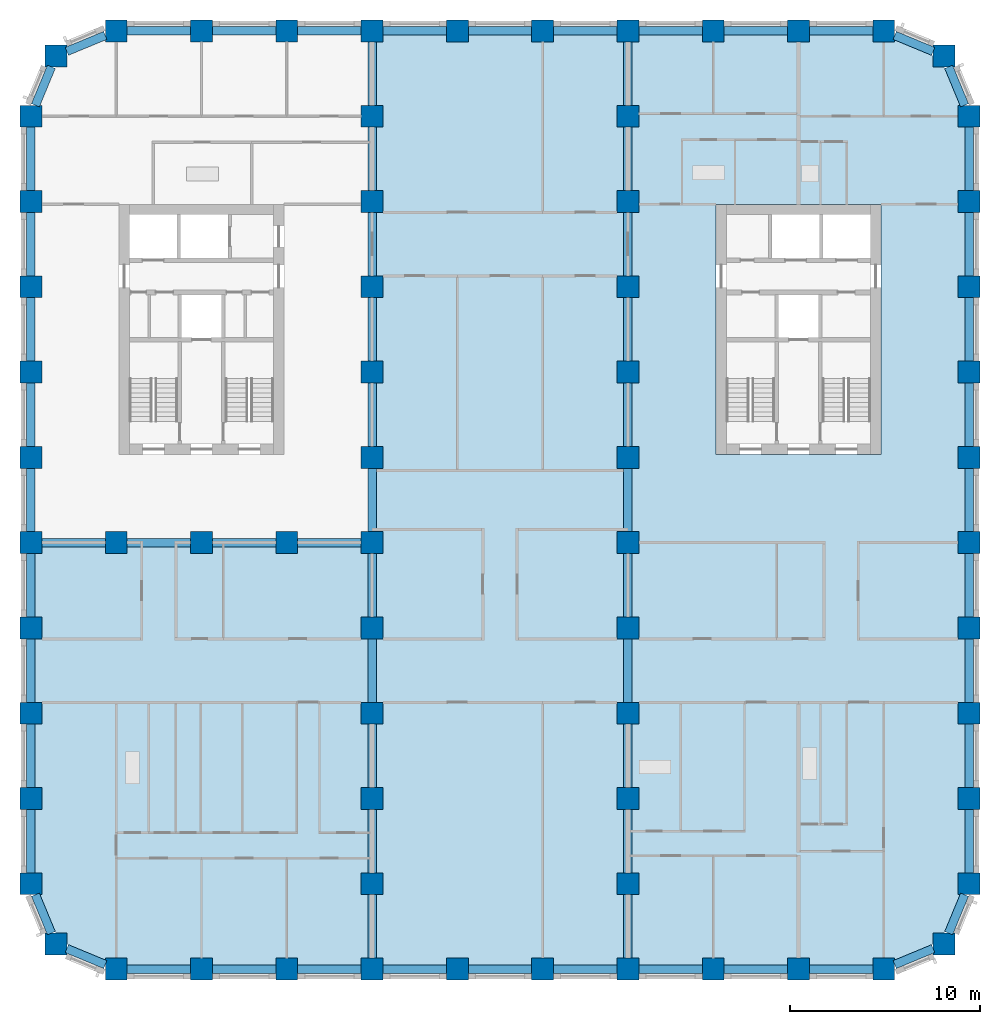
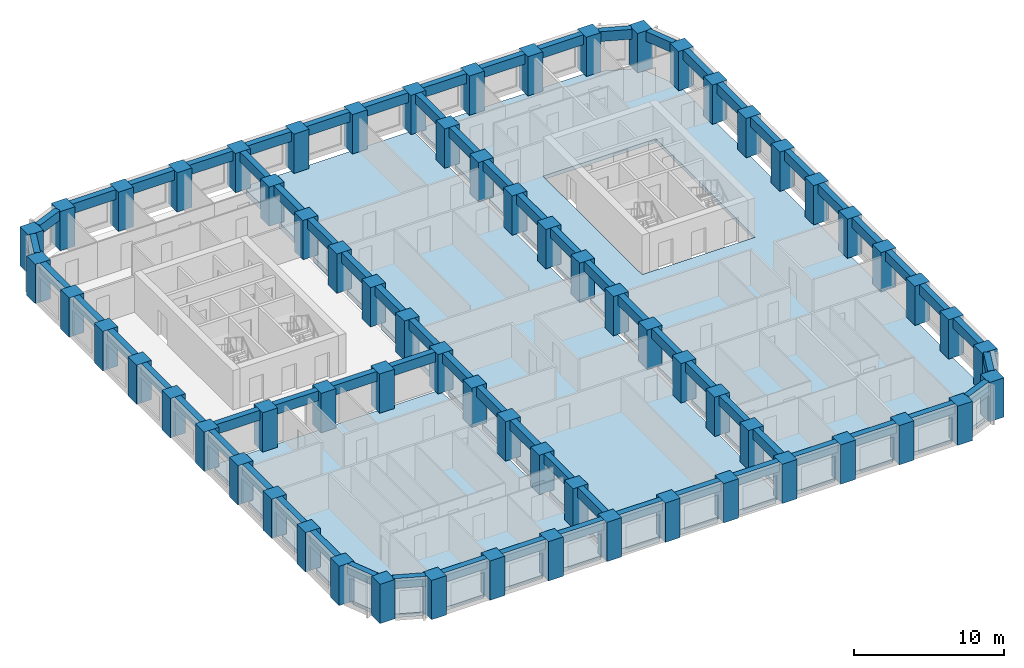
# One storey, part 1 of 13: 70 beams, 67 columns, 3 slabs.
"""IFC4 building model written with IfcOpenShell, lengths in metres."""

from ifc_helpers import new_model, si_unit, direction, frame, origin, origin_2d, place, context, subcontext, project, spatial, polyline, rectangle, outline, extrude, material, layer, layer_set, material_profile, profile_set, type_object, element, save


model = new_model("IFC4")

# Units and contexts
model_context = context("Model", 3, precision=1e-05, world=origin(), true_north=direction((0.0, 1.0)))
body_context = subcontext(model_context, "Body", "Model", "MODEL_VIEW")
ifc_project = project(units=[si_unit("LENGTHUNIT", "METRE"), si_unit("AREAUNIT", "SQUARE_METRE"), si_unit("VOLUMEUNIT", "CUBIC_METRE"), si_unit("PLANEANGLEUNIT", "RADIAN"), si_unit("MASSUNIT", "GRAM", prefix="KILO")], contexts=[model_context])

# Site, building, storey
site_placement = place(None, origin())
site = spatial("IfcSite", under=ifc_project, at=site_placement, CompositionType="ELEMENT")
building_placement = place(site_placement, origin())
building = spatial("IfcBuilding", under=site, at=building_placement, Name="Girih Gate Residences", CompositionType="ELEMENT")
storey_placement = place(building_placement, frame((0.0, 0.0, 99.199951171875)))
storey = spatial("IfcBuildingStorey", under=building, at=storey_placement, Name="L27", CompositionType="ELEMENT", Elevation=99.199951171875)

# Columns
ifc_material_1 = material(Name="Concrete C80/95", Category="concrete")
ifc_material_profile_1 = material_profile(ifc_material_1, rectangle(XDim=1.14990234375, YDim=1.14990234375, at=origin_2d()))
ifc_profile_set_1 = profile_set([ifc_material_profile_1], Name="Concrete C80/95")
column_type = type_object("IfcColumnType", Name="Pier RC 1150x1150 Concrete C80/95", PredefinedType="COLUMN", material=ifc_profile_set_1)
for number, where, z_axis, x_axis, name in (
    (1, (4.5, 0.0, 0.0), (0.0, 0.0, 1.0), (1.0, 0.0, 0.0), "Pier P2A L27"),
    (2, (9.0, 0.0, 0.0), (0.0, 0.0, 1.0), (1.0, 0.0, 0.0), "Pier P3A L27"),
    (3, (13.5, 0.0, 0.0), (0.0, 0.0, 1.0), (1.0, 0.0, 0.0), "Pier P4A L27"),
    (4, (18.0, 0.0, 0.0), (0.0, 0.0, 1.0), (1.0, 0.0, 0.0), "Pier P5A L27"),
    (5, (22.5, 0.0, 0.0), (0.0, 0.0, 1.0), (1.0, 0.0, 0.0), "Pier P6A L27"),
    (6, (27.0, 0.0, 0.0), (0.0, 0.0, 1.0), (1.0, 0.0, 0.0), "Pier P7A L27"),
    (7, (31.5, 0.0, 0.0), (0.0, 0.0, 1.0), (1.0, 0.0, 0.0), "Pier P8A L27"),
    (8, (36.0, 0.0, 0.0), (0.0, 0.0, 1.0), (1.0, 0.0, 0.0), "Pier P9A L27"),
    (9, (40.5, 0.0, 0.0), (0.0, 0.0, 1.0), (1.0, 0.0, 0.0), "Pier P10A L27"),
    (10, (45.0, 0.0, 0.0), (0.0, 0.0, 1.0), (1.0, 0.0, 0.0), "Pier P11A L27"),
    (11, (1.318115234375, 1.318115234375, 0.0), (0.0, 0.0, 1.0), (1.0, 0.0, 0.0), "Pier P1ANE L27"),
    (12, (48.181884765625, 1.318115234375, 0.0), (0.0, 0.0, 1.0), (1.0, 0.0, 0.0), "Pier P12ANW L27"),
    (13, (0.0, 4.5, 0.0), (0.0, 0.0, 1.0), (1.0, 0.0, 0.0), "Pier P1B L27"),
    (14, (18.0, 4.5, 0.0), (0.0, 0.0, 1.0), (1.0, 0.0, 0.0), "Pier P5B L27"),
    (15, (31.5, 4.5, 0.0), (0.0, 0.0, 1.0), (1.0, 0.0, 0.0), "Pier P8B L27"),
    (16, (49.5, 4.5, 0.0), (0.0, 0.0, 1.0), (1.0, 0.0, 0.0), "Pier P12B L27"),
    (17, (0.0, 9.0, 0.0), (0.0, 0.0, 1.0), (1.0, 0.0, 0.0), "Pier P1C L27"),
    (18, (18.0, 9.0, 0.0), (0.0, 0.0, 1.0), (1.0, 0.0, 0.0), "Pier P5C L27"),
    (19, (31.5, 9.0, 0.0), (0.0, 0.0, 1.0), (1.0, 0.0, 0.0), "Pier P8C L27"),
    (20, (49.5, 9.0, 0.0), (0.0, 0.0, 1.0), (1.0, 0.0, 0.0), "Pier P12C L27"),
    (21, (0.0, 13.5, 0.0), (0.0, 0.0, 1.0), (1.0, 0.0, 0.0), "Pier P1D L27"),
    (22, (18.0, 13.5, 0.0), (0.0, 0.0, 1.0), (1.0, 0.0, 0.0), "Pier P5D L27"),
    (23, (31.5, 13.5, 0.0), (0.0, 0.0, 1.0), (1.0, 0.0, 0.0), "Pier P8D L27"),
    (24, (49.5, 13.5, 0.0), (0.0, 0.0, 1.0), (1.0, 0.0, 0.0), "Pier P12D L27"),
    (25, (0.0, 18.0, 0.0), (0.0, 0.0, 1.0), (1.0, 0.0, 0.0), "Pier P1E L27"),
    (26, (18.0, 18.0, 0.0), (0.0, 0.0, 1.0), (1.0, 0.0, 0.0), "Pier P5E L27"),
    (27, (31.5, 18.0, 0.0), (0.0, 0.0, 1.0), (1.0, 0.0, 0.0), "Pier P8E L27"),
    (28, (49.5, 18.0, 0.0), (0.0, 0.0, 1.0), (1.0, 0.0, 0.0), "Pier P12E L27"),
    (29, (0.0, 22.5, 0.0), (0.0, 0.0, 1.0), (1.0, 0.0, 0.0), "Pier P1F L27"),
    (30, (4.5, 22.5, 0.0), (0.0, 0.0, 1.0), (1.0, 0.0, 0.0), "Pier P2F L27"),
    (31, (9.0, 22.5, 0.0), (0.0, 0.0, 1.0), (1.0, 0.0, 0.0), "Pier P3F L27"),
    (32, (13.5, 22.5, 0.0), (0.0, 0.0, 1.0), (1.0, 0.0, 0.0), "Pier P4F L27"),
    (33, (18.0, 22.5, 0.0), (0.0, 0.0, 1.0), (1.0, 0.0, 0.0), "Pier P5F L27"),
    (34, (31.5, 22.5, 0.0), (0.0, 0.0, 1.0), (1.0, 0.0, 0.0), "Pier P8F L27"),
    (35, (49.5, 22.5, 0.0), (0.0, 0.0, 1.0), (1.0, 0.0, 0.0), "Pier P12F L27"),
    (36, (0.0, 27.0, 0.0), (0.0, 0.0, 1.0), (1.0, 0.0, 0.0), "Pier P1G L27"),
    (37, (18.0, 27.0, 0.0), (0.0, 0.0, 1.0), (1.0, 0.0, 0.0), "Pier P5G L27"),
    (38, (31.5, 27.0, 0.0), (0.0, 0.0, 1.0), (1.0, 0.0, 0.0), "Pier P8G L27"),
    (39, (49.5, 27.0, 0.0), (0.0, 0.0, 1.0), (1.0, 0.0, 0.0), "Pier P12G L27"),
    (40, (0.0, 31.5, 0.0), (0.0, 0.0, 1.0), (1.0, 0.0, 0.0), "Pier P1H L27"),
    (41, (18.0, 31.5, 0.0), (0.0, 0.0, 1.0), (1.0, 0.0, 0.0), "Pier P5H L27"),
    (42, (31.5, 31.5, 0.0), (0.0, 0.0, 1.0), (1.0, 0.0, 0.0), "Pier P8H L27"),
    (43, (49.5, 31.5, 0.0), (0.0, 0.0, 1.0), (1.0, 0.0, 0.0), "Pier P12H L27"),
    (44, (0.0, 36.0, 0.0), (0.0, 0.0, 1.0), (1.0, 0.0, 0.0), "Pier P1I L27"),
    (45, (18.0, 36.0, 0.0), (0.0, 0.0, 1.0), (1.0, 0.0, 0.0), "Pier P5I L27"),
    (46, (31.5, 36.0, 0.0), (0.0, 0.0, 1.0), (1.0, 0.0, 0.0), "Pier P8I L27"),
    (47, (49.5, 36.0, 0.0), (0.0, 0.0, 1.0), (1.0, 0.0, 0.0), "Pier P12I L27"),
    (48, (0.0, 40.5, 0.0), (0.0, 0.0, 1.0), (1.0, 0.0, 0.0), "Pier P1J L27"),
    (49, (18.0, 40.5, 0.0), (0.0, 0.0, 1.0), (1.0, 0.0, 0.0), "Pier P5J L27"),
    (50, (31.5, 40.5, 0.0), (0.0, 0.0, 1.0), (1.0, 0.0, 0.0), "Pier P8J L27"),
    (51, (49.5, 40.5, 0.0), (0.0, 0.0, 1.0), (1.0, 0.0, 0.0), "Pier P12J L27"),
    (52, (0.0, 45.0, 0.0), (0.0, 0.0, 1.0), (1.0, 0.0, 0.0), "Pier P1K L27"),
    (53, (18.0, 45.0, 0.0), (0.0, 0.0, 1.0), (1.0, 0.0, 0.0), "Pier P5K L27"),
    (54, (31.5, 45.0, 0.0), (0.0, 0.0, 1.0), (1.0, 0.0, 0.0), "Pier P8K L27"),
    (55, (49.5, 45.0, 0.0), (0.0, 0.0, 1.0), (1.0, 0.0, 0.0), "Pier P12K L27"),
    (56, (1.318115234375, 48.181884765625, 0.0), (0.0, 0.0, 1.0), (1.0, 0.0, 0.0), "Pier P1LSE L27"),
    (57, (48.181884765625, 48.181884765625, 0.0), (0.0, 0.0, 1.0), (1.0, 0.0, 0.0), "Pier P12LSW L27"),
    (58, (4.5, 49.5, 0.0), (0.0, 0.0, 1.0), (1.0, 0.0, 0.0), "Pier P2L L27"),
    (59, (9.0, 49.5, 0.0), (0.0, 0.0, 1.0), (1.0, 0.0, 0.0), "Pier P3L L27"),
    (60, (13.5, 49.5, 0.0), (0.0, 0.0, 1.0), (1.0, 0.0, 0.0), "Pier P4L L27"),
    (61, (18.0, 49.5, 0.0), (0.0, 0.0, 1.0), (1.0, 0.0, 0.0), "Pier P5L L27"),
    (62, (22.5, 49.5, 0.0), (0.0, 0.0, 1.0), (1.0, 0.0, 0.0), "Pier P6L L27"),
    (63, (27.0, 49.5, 0.0), (0.0, 0.0, 1.0), (1.0, 0.0, 0.0), "Pier P7L L27"),
    (64, (31.5, 49.5, 0.0), (0.0, 0.0, 1.0), (1.0, 0.0, 0.0), "Pier P8L L27"),
    (65, (36.0, 49.5, 0.0), (0.0, 0.0, 1.0), (1.0, 0.0, 0.0), "Pier P9L L27"),
    (66, (40.5, 49.5, 0.0), (0.0, 0.0, 1.0), (1.0, 0.0, 0.0), "Pier P10L L27"),
    (67, (45.0, 49.5, 0.0), (0.0, 0.0, 1.0), (1.0, 0.0, 0.0), "Pier P11L L27"),
):
    element("IfcColumn", number, at=place(storey_placement, frame(where, z_axis=z_axis, x_axis=x_axis)), inside=storey, type_object=column_type, Name=name, PredefinedType="COLUMN", context=body_context, shape_type="SweptSolid", body=[
        extrude(rectangle(XDim=1.14990234375, YDim=1.14990234375, at=origin_2d()), origin(), (0.0, 0.0, 1.0), 3.199951171875),
    ])

# Beams
ifc_material_2 = material(Name="Concrete C60/75", Category="concrete")
ifc_material_profile_2 = material_profile(ifc_material_2, rectangle(XDim=0.449951171875, YDim=0.800048828125, at=origin_2d()))
ifc_profile_set_2 = profile_set([ifc_material_profile_2], Name="Concrete C60/75")
beam_type = type_object("IfcBeamType", Name="Spandrel girder RC 450x800 Concrete C60/75", PredefinedType="BEAM", material=ifc_profile_set_2)
for number, where, z_axis, x_axis, name in (
    (68, (0.23828125, 3.925048828125, 2.800048828125), (0.382636106589, -0.92389913407, 0.0), (0.92389913407, 0.382636106589, 0.0), "Spandrel girder SP-P1B-P1ANE L27"),
    (69, (1.89306640625, 1.079833984375, 2.800048828125), (0.92389913407, -0.382636106589, 0.0), (0.382636106589, 0.92389913407, 0.0), "Spandrel girder SP-P1ANE-P2A L27"),
):
    element("IfcBeam", number, at=place(storey_placement, frame(where, z_axis=z_axis, x_axis=x_axis)), inside=storey, type_object=beam_type, Name=name, PredefinedType="BEAM", context=body_context, shape_type="SweptSolid", body=[
        extrude(rectangle(XDim=0.449951171875, YDim=0.800048828125, at=origin_2d()), origin(), (0.0, 0.0, 1.0), 2.199462890625),
    ])
for number, where, z_axis, x_axis, name in (
    (70, (5.074951171875, 0.0, 2.800048828125), (1.0, 0.0, 0.0), (0.0, 1.0, 0.0), "Spandrel girder SP-P2A-P3A L27"),
    (71, (9.574951171875, 0.0, 2.800048828125), (1.0, 0.0, 0.0), (0.0, 1.0, 0.0), "Spandrel girder SP-P3A-P4A L27"),
    (72, (14.074951171875, 0.0, 2.800048828125), (1.0, 0.0, 0.0), (0.0, 1.0, 0.0), "Spandrel girder SP-P4A-P5A L27"),
    (73, (18.574951171875, 0.0, 2.800048828125), (1.0, 0.0, 0.0), (0.0, 1.0, 0.0), "Spandrel girder SP-P5A-P6A L27"),
    (74, (23.074951171875, 0.0, 2.800048828125), (1.0, 0.0, 0.0), (0.0, 1.0, 0.0), "Spandrel girder SP-P6A-P7A L27"),
    (75, (27.574951171875, 0.0, 2.800048828125), (1.0, 0.0, 0.0), (0.0, 1.0, 0.0), "Spandrel girder SP-P7A-P8A L27"),
    (76, (32.074951171875, 0.0, 2.800048828125), (1.0, 0.0, 0.0), (0.0, 1.0, 0.0), "Spandrel girder SP-P8A-P9A L27"),
    (77, (36.574951171875, 0.0, 2.800048828125), (1.0, 0.0, 0.0), (0.0, 1.0, 0.0), "Spandrel girder SP-P9A-P10A L27"),
    (78, (41.074951171875, 0.0, 2.800048828125), (1.0, 0.0, 0.0), (0.0, 1.0, 0.0), "Spandrel girder SP-P10A-P11A L27"),
):
    element("IfcBeam", number, at=place(storey_placement, frame(where, z_axis=z_axis, x_axis=x_axis)), inside=storey, type_object=beam_type, Name=name, PredefinedType="BEAM", context=body_context, shape_type="SweptSolid", body=[
        extrude(rectangle(XDim=0.449951171875, YDim=0.800048828125, at=origin_2d()), origin(), (0.0, 0.0, 1.0), 3.35009765625),
    ])
for number, where, z_axis, x_axis, name in (
    (79, (45.574951171875, 0.23828125, 2.800048828125), (0.92389913407, 0.382636106589, 0.0), (-0.382636106589, 0.92389913407, 0.0), "Spandrel girder SP-P11A-P12ANW L27"),
    (80, (48.420166015625, 1.89306640625, 2.800048828125), (0.382636106589, 0.92389913407, 0.0), (-0.92389913407, 0.382636106589, 0.0), "Spandrel girder SP-P12ANW-P12B L27"),
):
    element("IfcBeam", number, at=place(storey_placement, frame(where, z_axis=z_axis, x_axis=x_axis)), inside=storey, type_object=beam_type, Name=name, PredefinedType="BEAM", context=body_context, shape_type="SweptSolid", body=[
        extrude(rectangle(XDim=0.449951171875, YDim=0.800048828125, at=origin_2d()), origin(), (0.0, 0.0, 1.0), 2.199462890625),
    ])
for number, where, z_axis, x_axis, name in (
    (81, (49.5, 5.074951171875, 2.800048828125), (0.0, 1.0, 0.0), (-1.0, 0.0, 0.0), "Spandrel girder SP-P12B-P12C L27"),
    (82, (49.5, 9.574951171875, 2.800048828125), (0.0, 1.0, 0.0), (-1.0, 0.0, 0.0), "Spandrel girder SP-P12C-P12D L27"),
    (83, (49.5, 14.074951171875, 2.800048828125), (0.0, 1.0, 0.0), (-1.0, 0.0, 0.0), "Spandrel girder SP-P12D-P12E L27"),
    (84, (49.5, 18.574951171875, 2.800048828125), (0.0, 1.0, 0.0), (-1.0, 0.0, 0.0), "Spandrel girder SP-P12E-P12F L27"),
    (85, (49.5, 23.074951171875, 2.800048828125), (0.0, 1.0, 0.0), (-1.0, 0.0, 0.0), "Spandrel girder SP-P12F-P12G L27"),
    (86, (49.5, 27.574951171875, 2.800048828125), (0.0, 1.0, 0.0), (-1.0, 0.0, 0.0), "Spandrel girder SP-P12G-P12H L27"),
    (87, (49.5, 32.074951171875, 2.800048828125), (0.0, 1.0, 0.0), (-1.0, 0.0, 0.0), "Spandrel girder SP-P12H-P12I L27"),
    (88, (49.5, 36.574951171875, 2.800048828125), (0.0, 1.0, 0.0), (-1.0, 0.0, 0.0), "Spandrel girder SP-P12I-P12J L27"),
    (89, (49.5, 41.074951171875, 2.800048828125), (0.0, 1.0, 0.0), (-1.0, 0.0, 0.0), "Spandrel girder SP-P12J-P12K L27"),
):
    element("IfcBeam", number, at=place(storey_placement, frame(where, z_axis=z_axis, x_axis=x_axis)), inside=storey, type_object=beam_type, Name=name, PredefinedType="BEAM", context=body_context, shape_type="SweptSolid", body=[
        extrude(rectangle(XDim=0.449951171875, YDim=0.800048828125, at=origin_2d()), origin(), (0.0, 0.0, 1.0), 3.35009765625),
    ])
for number, where, z_axis, x_axis, name in (
    (90, (49.26171875, 45.574951171875, 2.800048828125), (-0.382636106589, 0.92389913407, 0.0), (-0.92389913407, -0.382636106589, 0.0), "Spandrel girder SP-P12K-P12LSW L27"),
    (91, (47.60693359375, 48.420166015625, 2.800048828125), (-0.92389913407, 0.382636106589, 0.0), (-0.382636106589, -0.92389913407, 0.0), "Spandrel girder SP-P12LSW-P11L L27"),
):
    element("IfcBeam", number, at=place(storey_placement, frame(where, z_axis=z_axis, x_axis=x_axis)), inside=storey, type_object=beam_type, Name=name, PredefinedType="BEAM", context=body_context, shape_type="SweptSolid", body=[
        extrude(rectangle(XDim=0.449951171875, YDim=0.800048828125, at=origin_2d()), origin(), (0.0, 0.0, 1.0), 2.199462890625),
    ])
for number, where, z_axis, x_axis, name in (
    (92, (44.425048828125, 49.5, 2.800048828125), (-1.0, 0.0, 0.0), (0.0, -1.0, 0.0), "Spandrel girder SP-P11L-P10L L27"),
    (93, (39.925048828125, 49.5, 2.800048828125), (-1.0, 0.0, 0.0), (0.0, -1.0, 0.0), "Spandrel girder SP-P10L-P9L L27"),
    (94, (35.425048828125, 49.5, 2.800048828125), (-1.0, 0.0, 0.0), (0.0, -1.0, 0.0), "Spandrel girder SP-P9L-P8L L27"),
    (95, (30.925048828125, 49.5, 2.800048828125), (-1.0, 0.0, 0.0), (0.0, -1.0, 0.0), "Spandrel girder SP-P8L-P7L L27"),
    (96, (26.425048828125, 49.5, 2.800048828125), (-1.0, 0.0, 0.0), (0.0, -1.0, 0.0), "Spandrel girder SP-P7L-P6L L27"),
    (97, (21.925048828125, 49.5, 2.800048828125), (-1.0, 0.0, 0.0), (0.0, -1.0, 0.0), "Spandrel girder SP-P6L-P5L L27"),
    (98, (17.425048828125, 49.5, 2.800048828125), (-1.0, 0.0, 0.0), (0.0, -1.0, 0.0), "Spandrel girder SP-P5L-P4L L27"),
    (99, (12.925048828125, 49.5, 2.800048828125), (-1.0, 0.0, 0.0), (0.0, -1.0, 0.0), "Spandrel girder SP-P4L-P3L L27"),
    (100, (8.425048828125, 49.5, 2.800048828125), (-1.0, 0.0, 0.0), (0.0, -1.0, 0.0), "Spandrel girder SP-P3L-P2L L27"),
):
    element("IfcBeam", number, at=place(storey_placement, frame(where, z_axis=z_axis, x_axis=x_axis)), inside=storey, type_object=beam_type, Name=name, PredefinedType="BEAM", context=body_context, shape_type="SweptSolid", body=[
        extrude(rectangle(XDim=0.449951171875, YDim=0.800048828125, at=origin_2d()), origin(), (0.0, 0.0, 1.0), 3.35009765625),
    ])
for number, where, z_axis, x_axis, name in (
    (101, (3.925048828125, 49.26171875, 2.800048828125), (-0.92389913407, -0.382636106589, 0.0), (0.382636106589, -0.92389913407, 0.0), "Spandrel girder SP-P2L-P1LSE L27"),
    (102, (1.079833984375, 47.60693359375, 2.800048828125), (-0.382636106589, -0.92389913407, 0.0), (0.92389913407, -0.382636106589, 0.0), "Spandrel girder SP-P1LSE-P1K L27"),
):
    element("IfcBeam", number, at=place(storey_placement, frame(where, z_axis=z_axis, x_axis=x_axis)), inside=storey, type_object=beam_type, Name=name, PredefinedType="BEAM", context=body_context, shape_type="SweptSolid", body=[
        extrude(rectangle(XDim=0.449951171875, YDim=0.800048828125, at=origin_2d()), origin(), (0.0, 0.0, 1.0), 2.199462890625),
    ])
for number, where, z_axis, x_axis, name in (
    (103, (0.0, 44.425048828125, 2.800048828125), (0.0, -1.0, 0.0), (1.0, 0.0, 0.0), "Spandrel girder SP-P1K-P1J L27"),
    (104, (0.0, 39.925048828125, 2.800048828125), (0.0, -1.0, 0.0), (1.0, 0.0, 0.0), "Spandrel girder SP-P1J-P1I L27"),
    (105, (0.0, 35.425048828125, 2.800048828125), (0.0, -1.0, 0.0), (1.0, 0.0, 0.0), "Spandrel girder SP-P1I-P1H L27"),
    (106, (0.0, 30.925048828125, 2.800048828125), (0.0, -1.0, 0.0), (1.0, 0.0, 0.0), "Spandrel girder SP-P1H-P1G L27"),
    (107, (0.0, 26.425048828125, 2.800048828125), (0.0, -1.0, 0.0), (1.0, 0.0, 0.0), "Spandrel girder SP-P1G-P1F L27"),
    (108, (0.0, 21.925048828125, 2.800048828125), (0.0, -1.0, 0.0), (1.0, 0.0, 0.0), "Spandrel girder SP-P1F-P1E L27"),
    (109, (0.0, 17.425048828125, 2.800048828125), (0.0, -1.0, 0.0), (1.0, 0.0, 0.0), "Spandrel girder SP-P1E-P1D L27"),
    (110, (0.0, 12.925048828125, 2.800048828125), (0.0, -1.0, 0.0), (1.0, 0.0, 0.0), "Spandrel girder SP-P1D-P1C L27"),
    (111, (0.0, 8.425048828125, 2.800048828125), (0.0, -1.0, 0.0), (1.0, 0.0, 0.0), "Spandrel girder SP-P1C-P1B L27"),
    (112, (18.0, 0.574951171875, 2.800048828125), (0.0, 1.0, 0.0), (-1.0, 0.0, 0.0), "Spandrel girder SP-P5A-P5B L27"),
    (113, (18.0, 5.074951171875, 2.800048828125), (0.0, 1.0, 0.0), (-1.0, 0.0, 0.0), "Spandrel girder SP-P5B-P5C L27"),
    (114, (18.0, 9.574951171875, 2.800048828125), (0.0, 1.0, 0.0), (-1.0, 0.0, 0.0), "Spandrel girder SP-P5C-P5D L27"),
    (115, (18.0, 14.074951171875, 2.800048828125), (0.0, 1.0, 0.0), (-1.0, 0.0, 0.0), "Spandrel girder SP-P5D-P5E L27"),
    (116, (18.0, 18.574951171875, 2.800048828125), (0.0, 1.0, 0.0), (-1.0, 0.0, 0.0), "Spandrel girder SP-P5E-P5F L27"),
    (117, (18.0, 23.074951171875, 2.800048828125), (0.0, 1.0, 0.0), (-1.0, 0.0, 0.0), "Spandrel girder SP-P5F-P5G L27"),
    (118, (18.0, 27.574951171875, 2.800048828125), (0.0, 1.0, 0.0), (-1.0, 0.0, 0.0), "Spandrel girder SP-P5G-P5H L27"),
    (119, (18.0, 32.074951171875, 2.800048828125), (0.0, 1.0, 0.0), (-1.0, 0.0, 0.0), "Spandrel girder SP-P5H-P5I L27"),
    (120, (18.0, 36.574951171875, 2.800048828125), (0.0, 1.0, 0.0), (-1.0, 0.0, 0.0), "Spandrel girder SP-P5I-P5J L27"),
    (121, (18.0, 41.074951171875, 2.800048828125), (0.0, 1.0, 0.0), (-1.0, 0.0, 0.0), "Spandrel girder SP-P5J-P5K L27"),
    (122, (18.0, 45.574951171875, 2.800048828125), (0.0, 1.0, 0.0), (-1.0, 0.0, 0.0), "Spandrel girder SP-P5K-P5L L27"),
    (123, (31.5, 0.574951171875, 2.800048828125), (0.0, 1.0, 0.0), (-1.0, 0.0, 0.0), "Spandrel girder SP-P8A-P8B L27"),
    (124, (31.5, 5.074951171875, 2.800048828125), (0.0, 1.0, 0.0), (-1.0, 0.0, 0.0), "Spandrel girder SP-P8B-P8C L27"),
    (125, (31.5, 9.574951171875, 2.800048828125), (0.0, 1.0, 0.0), (-1.0, 0.0, 0.0), "Spandrel girder SP-P8C-P8D L27"),
    (126, (31.5, 14.074951171875, 2.800048828125), (0.0, 1.0, 0.0), (-1.0, 0.0, 0.0), "Spandrel girder SP-P8D-P8E L27"),
    (127, (31.5, 18.574951171875, 2.800048828125), (0.0, 1.0, 0.0), (-1.0, 0.0, 0.0), "Spandrel girder SP-P8E-P8F L27"),
    (128, (31.5, 23.074951171875, 2.800048828125), (0.0, 1.0, 0.0), (-1.0, 0.0, 0.0), "Spandrel girder SP-P8F-P8G L27"),
    (129, (31.5, 27.574951171875, 2.800048828125), (0.0, 1.0, 0.0), (-1.0, 0.0, 0.0), "Spandrel girder SP-P8G-P8H L27"),
    (130, (31.5, 32.074951171875, 2.800048828125), (0.0, 1.0, 0.0), (-1.0, 0.0, 0.0), "Spandrel girder SP-P8H-P8I L27"),
    (131, (31.5, 36.574951171875, 2.800048828125), (0.0, 1.0, 0.0), (-1.0, 0.0, 0.0), "Spandrel girder SP-P8I-P8J L27"),
    (132, (31.5, 41.074951171875, 2.800048828125), (0.0, 1.0, 0.0), (-1.0, 0.0, 0.0), "Spandrel girder SP-P8J-P8K L27"),
    (133, (31.5, 45.574951171875, 2.800048828125), (0.0, 1.0, 0.0), (-1.0, 0.0, 0.0), "Spandrel girder SP-P8K-P8L L27"),
    (134, (0.574951171875, 22.5, 2.800048828125), (1.0, 0.0, 0.0), (0.0, 1.0, 0.0), "Spandrel girder SP-P1F-P2F L27"),
    (135, (5.074951171875, 22.5, 2.800048828125), (1.0, 0.0, 0.0), (0.0, 1.0, 0.0), "Spandrel girder SP-P2F-P3F L27"),
    (136, (9.574951171875, 22.5, 2.800048828125), (1.0, 0.0, 0.0), (0.0, 1.0, 0.0), "Spandrel girder SP-P3F-P4F L27"),
    (137, (14.074951171875, 22.5, 2.800048828125), (1.0, 0.0, 0.0), (0.0, 1.0, 0.0), "Spandrel girder SP-P4F-P5F L27"),
):
    element("IfcBeam", number, at=place(storey_placement, frame(where, z_axis=z_axis, x_axis=x_axis)), inside=storey, type_object=beam_type, Name=name, PredefinedType="BEAM", context=body_context, shape_type="SweptSolid", body=[
        extrude(rectangle(XDim=0.449951171875, YDim=0.800048828125, at=origin_2d()), origin(), (0.0, 0.0, 1.0), 3.35009765625),
    ])

# Slabs
ifc_material_3 = material(Name="Concrete C40/50", Category="concrete")
ifc_layer_1 = layer(ifc_material_3, 0.300048828125)
ifc_layer_set_1 = layer_set([ifc_layer_1], Name="Floor slab PT 300 Concrete C40/50")
slab_type_1 = type_object("IfcSlabType", Name="Floor slab PT 300 Concrete C40/50", PredefinedType="FLOOR", material=ifc_layer_set_1)
slab_1_placement = place(storey_placement, frame((0.0, 0.0, -0.300048828125)))
element("IfcSlab", 138, at=slab_1_placement, inside=storey, type_object=slab_type_1, Name="Floor slab L27 0", PredefinedType="FLOOR", context=body_context, shape_type="SweptSolid", body=[
    extrude(outline(polyline([(0.22509765625, 8.425048828125), (0.22509765625, 5.074951171875), (0.574951171875, 5.074951171875), (0.574951171875, 3.925048828125), (0.481689453125, 3.925048828125), (1.323486328125, 1.89306640625), (1.89306640625, 1.89306640625), (1.89306640625, 1.323486328125), (3.925048828125, 0.481689453125), (3.925048828125, 0.574951171875), (5.074951171875, 0.574951171875), (5.074951171875, 0.22509765625), (8.425048828125, 0.22509765625), (8.425048828125, 0.574951171875), (9.574951171875, 0.574951171875), (9.574951171875, 0.22509765625), (12.925048828125, 0.22509765625), (12.925048828125, 0.574951171875), (14.074951171875, 0.574951171875), (14.074951171875, 0.22509765625), (17.425048828125, 0.22509765625), (17.425048828125, 0.574951171875), (17.77490234375, 0.574951171875), (17.77490234375, 3.925048828125), (17.425048828125, 3.925048828125), (17.425048828125, 5.074951171875), (17.77490234375, 5.074951171875), (17.77490234375, 8.425048828125), (17.425048828125, 8.425048828125), (17.425048828125, 9.574951171875), (17.77490234375, 9.574951171875), (17.77490234375, 12.925048828125), (17.425048828125, 12.925048828125), (17.425048828125, 14.074951171875), (17.77490234375, 14.074951171875), (17.77490234375, 17.425048828125), (17.425048828125, 17.425048828125), (17.425048828125, 18.574951171875), (17.77490234375, 18.574951171875), (17.77490234375, 21.925048828125), (17.425048828125, 21.925048828125), (17.425048828125, 22.27490234375), (14.074951171875, 22.27490234375), (14.074951171875, 21.925048828125), (12.925048828125, 21.925048828125), (12.925048828125, 22.27490234375), (9.574951171875, 22.27490234375), (9.574951171875, 21.925048828125), (8.425048828125, 21.925048828125), (8.425048828125, 22.27490234375), (5.074951171875, 22.27490234375), (5.074951171875, 21.925048828125), (3.925048828125, 21.925048828125), (3.925048828125, 22.27490234375), (0.574951171875, 22.27490234375), (0.574951171875, 21.925048828125), (0.22509765625, 21.925048828125), (0.22509765625, 18.574951171875), (0.574951171875, 18.574951171875), (0.574951171875, 17.425048828125), (0.22509765625, 17.425048828125), (0.22509765625, 14.074951171875), (0.574951171875, 14.074951171875), (0.574951171875, 12.925048828125), (0.22509765625, 12.925048828125), (0.22509765625, 9.574951171875), (0.574951171875, 9.574951171875), (0.574951171875, 8.425048828125), (0.22509765625, 8.425048828125)])), origin(), (0.0, 0.0, 1.0), 0.300048828125),
])
slab_2_placement = place(storey_placement, frame((0.0, 0.0, -0.300048828125)))
element("IfcSlab", 139, at=slab_2_placement, inside=storey, type_object=slab_type_1, Name="Floor slab L27 1", PredefinedType="FLOOR", context=body_context, shape_type="SweptSolid", body=[
    extrude(outline(polyline([(35.425048828125, 49.27490234375), (32.074951171875, 49.27490234375), (32.074951171875, 48.925048828125), (31.72509765625, 48.925048828125), (31.72509765625, 45.574951171875), (32.074951171875, 45.574951171875), (32.074951171875, 44.425048828125), (31.72509765625, 44.425048828125), (31.72509765625, 41.074951171875), (32.074951171875, 41.074951171875), (32.074951171875, 39.925048828125), (31.72509765625, 39.925048828125), (31.72509765625, 36.574951171875), (32.074951171875, 36.574951171875), (32.074951171875, 35.425048828125), (31.72509765625, 35.425048828125), (31.72509765625, 32.074951171875), (32.074951171875, 32.074951171875), (32.074951171875, 30.925048828125), (31.72509765625, 30.925048828125), (31.72509765625, 27.574951171875), (32.074951171875, 27.574951171875), (32.074951171875, 26.425048828125), (31.72509765625, 26.425048828125), (31.72509765625, 23.074951171875), (32.074951171875, 23.074951171875), (32.074951171875, 21.925048828125), (31.72509765625, 21.925048828125), (31.72509765625, 18.574951171875), (32.074951171875, 18.574951171875), (32.074951171875, 17.425048828125), (31.72509765625, 17.425048828125), (31.72509765625, 14.074951171875), (32.074951171875, 14.074951171875), (32.074951171875, 12.925048828125), (31.72509765625, 12.925048828125), (31.72509765625, 9.574951171875), (32.074951171875, 9.574951171875), (32.074951171875, 8.425048828125), (31.72509765625, 8.425048828125), (31.72509765625, 5.074951171875), (32.074951171875, 5.074951171875), (32.074951171875, 3.925048828125), (31.72509765625, 3.925048828125), (31.72509765625, 0.574951171875), (32.074951171875, 0.574951171875), (32.074951171875, 0.22509765625), (35.425048828125, 0.22509765625), (35.425048828125, 0.574951171875), (36.574951171875, 0.574951171875), (36.574951171875, 0.22509765625), (39.925048828125, 0.22509765625), (39.925048828125, 0.574951171875), (41.074951171875, 0.574951171875), (41.074951171875, 0.22509765625), (44.425048828125, 0.22509765625), (44.425048828125, 0.574951171875), (45.574951171875, 0.574951171875), (45.574951171875, 0.481689453125), (47.60693359375, 1.323486328125), (47.60693359375, 1.89306640625), (48.176513671875, 1.89306640625), (49.018310546875, 3.925048828125), (48.925048828125, 3.925048828125), (48.925048828125, 5.074951171875), (49.27490234375, 5.074951171875), (49.27490234375, 8.425048828125), (48.925048828125, 8.425048828125), (48.925048828125, 9.574951171875), (49.27490234375, 9.574951171875), (49.27490234375, 12.925048828125), (48.925048828125, 12.925048828125), (48.925048828125, 14.074951171875), (49.27490234375, 14.074951171875), (49.27490234375, 17.425048828125), (48.925048828125, 17.425048828125), (48.925048828125, 18.574951171875), (49.27490234375, 18.574951171875), (49.27490234375, 21.925048828125), (48.925048828125, 21.925048828125), (48.925048828125, 23.074951171875), (49.27490234375, 23.074951171875), (49.27490234375, 26.425048828125), (48.925048828125, 26.425048828125), (48.925048828125, 27.574951171875), (49.27490234375, 27.574951171875), (49.27490234375, 30.925048828125), (48.925048828125, 30.925048828125), (48.925048828125, 32.074951171875), (49.27490234375, 32.074951171875), (49.27490234375, 35.425048828125), (48.925048828125, 35.425048828125), (48.925048828125, 36.574951171875), (49.27490234375, 36.574951171875), (49.27490234375, 39.925048828125), (48.925048828125, 39.925048828125), (48.925048828125, 41.074951171875), (49.27490234375, 41.074951171875), (49.27490234375, 44.425048828125), (48.925048828125, 44.425048828125), (48.925048828125, 45.574951171875), (49.018310546875, 45.574951171875), (48.176513671875, 47.60693359375), (47.60693359375, 47.60693359375), (47.60693359375, 48.176513671875), (45.574951171875, 49.018310546875), (45.574951171875, 48.925048828125), (44.425048828125, 48.925048828125), (44.425048828125, 49.27490234375), (41.074951171875, 49.27490234375), (41.074951171875, 48.925048828125), (39.925048828125, 48.925048828125), (39.925048828125, 49.27490234375), (36.574951171875, 49.27490234375), (36.574951171875, 48.925048828125), (35.425048828125, 48.925048828125), (35.425048828125, 49.27490234375)]), holes=[polyline([(44.85009765625, 40.35009765625), (44.85009765625, 27.14990234375), (36.14990234375, 27.14990234375), (36.14990234375, 40.35009765625), (44.85009765625, 40.35009765625)])]), origin(), (0.0, 0.0, 1.0), 0.300048828125),
])
ifc_layer_2 = layer(ifc_material_3, 0.449951171875)
ifc_layer_set_2 = layer_set([ifc_layer_2], Name="Floor slab PT 450 Concrete C40/50")
slab_type_2 = type_object("IfcSlabType", Name="Floor slab PT 450 Concrete C40/50", PredefinedType="FLOOR", material=ifc_layer_set_2)
slab_3_placement = place(storey_placement, frame((0.0, 0.0, -0.449951171875)))
element("IfcSlab", 140, at=slab_3_placement, inside=storey, type_object=slab_type_2, Name="Floor slab L27 2", PredefinedType="FLOOR", context=body_context, shape_type="SweptSolid", body=[
    extrude(outline(polyline([(21.925048828125, 49.27490234375), (18.574951171875, 49.27490234375), (18.574951171875, 48.925048828125), (18.22509765625, 48.925048828125), (18.22509765625, 45.574951171875), (18.574951171875, 45.574951171875), (18.574951171875, 44.425048828125), (18.22509765625, 44.425048828125), (18.22509765625, 41.074951171875), (18.574951171875, 41.074951171875), (18.574951171875, 39.925048828125), (18.22509765625, 39.925048828125), (18.22509765625, 36.574951171875), (18.574951171875, 36.574951171875), (18.574951171875, 35.425048828125), (18.22509765625, 35.425048828125), (18.22509765625, 32.074951171875), (18.574951171875, 32.074951171875), (18.574951171875, 30.925048828125), (18.22509765625, 30.925048828125), (18.22509765625, 27.574951171875), (18.574951171875, 27.574951171875), (18.574951171875, 26.425048828125), (18.22509765625, 26.425048828125), (18.22509765625, 23.074951171875), (18.574951171875, 23.074951171875), (18.574951171875, 21.925048828125), (18.22509765625, 21.925048828125), (18.22509765625, 18.574951171875), (18.574951171875, 18.574951171875), (18.574951171875, 17.425048828125), (18.22509765625, 17.425048828125), (18.22509765625, 14.074951171875), (18.574951171875, 14.074951171875), (18.574951171875, 12.925048828125), (18.22509765625, 12.925048828125), (18.22509765625, 9.574951171875), (18.574951171875, 9.574951171875), (18.574951171875, 8.425048828125), (18.22509765625, 8.425048828125), (18.22509765625, 5.074951171875), (18.574951171875, 5.074951171875), (18.574951171875, 3.925048828125), (18.22509765625, 3.925048828125), (18.22509765625, 0.574951171875), (18.574951171875, 0.574951171875), (18.574951171875, 0.22509765625), (21.925048828125, 0.22509765625), (21.925048828125, 0.574951171875), (23.074951171875, 0.574951171875), (23.074951171875, 0.22509765625), (26.425048828125, 0.22509765625), (26.425048828125, 0.574951171875), (27.574951171875, 0.574951171875), (27.574951171875, 0.22509765625), (30.925048828125, 0.22509765625), (30.925048828125, 0.574951171875), (31.27490234375, 0.574951171875), (31.27490234375, 3.925048828125), (30.925048828125, 3.925048828125), (30.925048828125, 5.074951171875), (31.27490234375, 5.074951171875), (31.27490234375, 8.425048828125), (30.925048828125, 8.425048828125), (30.925048828125, 9.574951171875), (31.27490234375, 9.574951171875), (31.27490234375, 12.925048828125), (30.925048828125, 12.925048828125), (30.925048828125, 14.074951171875), (31.27490234375, 14.074951171875), (31.27490234375, 17.425048828125), (30.925048828125, 17.425048828125), (30.925048828125, 18.574951171875), (31.27490234375, 18.574951171875), (31.27490234375, 21.925048828125), (30.925048828125, 21.925048828125), (30.925048828125, 23.074951171875), (31.27490234375, 23.074951171875), (31.27490234375, 26.425048828125), (30.925048828125, 26.425048828125), (30.925048828125, 27.574951171875), (31.27490234375, 27.574951171875), (31.27490234375, 30.925048828125), (30.925048828125, 30.925048828125), (30.925048828125, 32.074951171875), (31.27490234375, 32.074951171875), (31.27490234375, 35.425048828125), (30.925048828125, 35.425048828125), (30.925048828125, 36.574951171875), (31.27490234375, 36.574951171875), (31.27490234375, 39.925048828125), (30.925048828125, 39.925048828125), (30.925048828125, 41.074951171875), (31.27490234375, 41.074951171875), (31.27490234375, 44.425048828125), (30.925048828125, 44.425048828125), (30.925048828125, 45.574951171875), (31.27490234375, 45.574951171875), (31.27490234375, 48.925048828125), (30.925048828125, 48.925048828125), (30.925048828125, 49.27490234375), (27.574951171875, 49.27490234375), (27.574951171875, 48.925048828125), (26.425048828125, 48.925048828125), (26.425048828125, 49.27490234375), (23.074951171875, 49.27490234375), (23.074951171875, 48.925048828125), (21.925048828125, 48.925048828125), (21.925048828125, 49.27490234375)])), origin(), (0.0, 0.0, 1.0), 0.449951171875),
])

save(model, "model.ifc")
